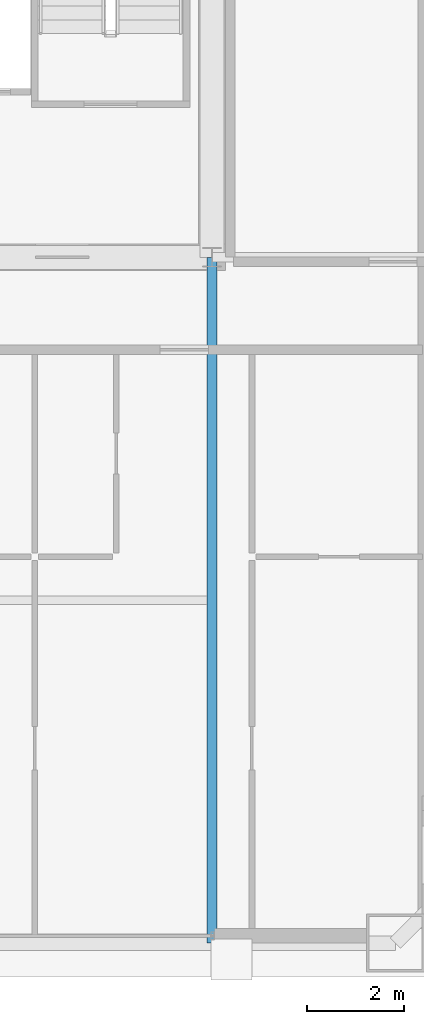
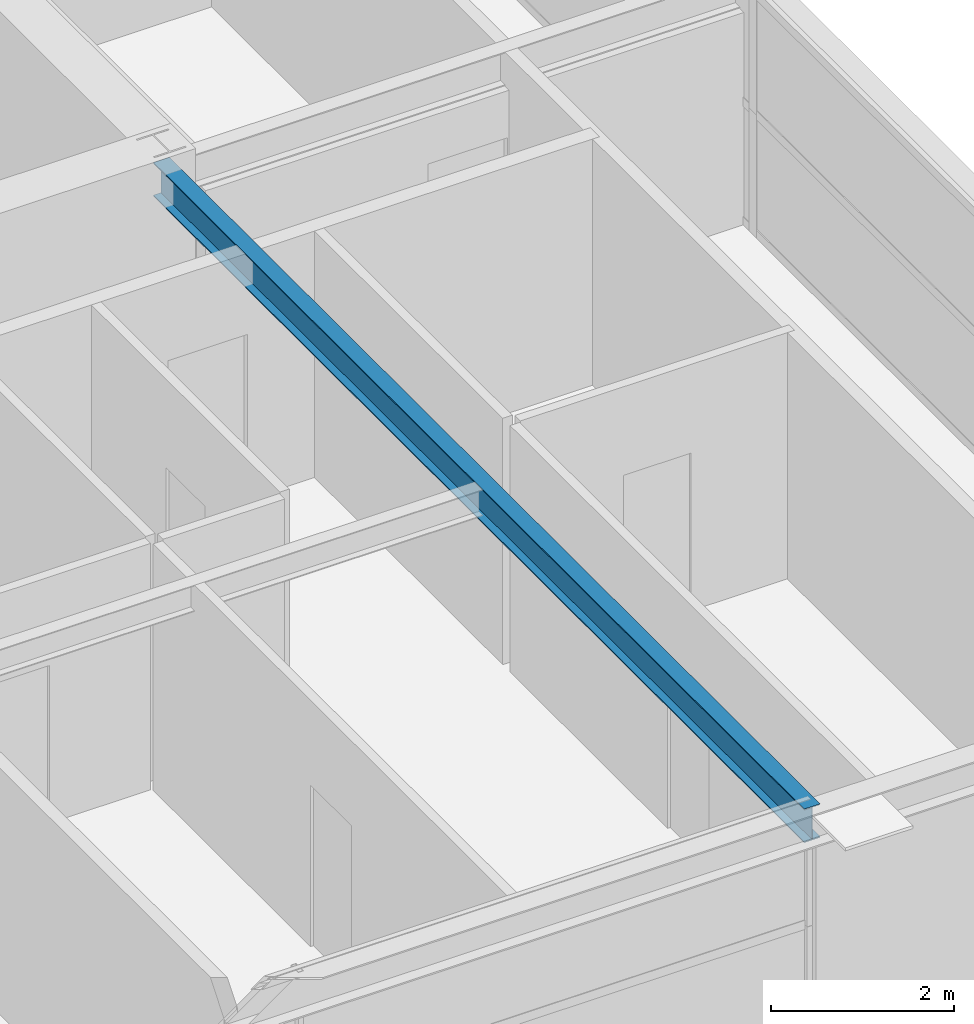
# One storey, part 16 of 37: 1 beam.
"""IFC4 building model written with IfcOpenShell, lengths in metres."""

from ifc_helpers import new_model, si_unit, direction, frame, origin, origin_2d, place, context, subcontext, project, spatial, i_section, extrude, source, transform, mapped, material, material_profile, profile_set, type_object, element, save


model = new_model("IFC4")

# Units and contexts
model_context = context("Model", 3, precision=1e-05, world=origin(), true_north=direction((0.0, 1.0)))
body_context = subcontext(model_context, "Body", "Model", "MODEL_VIEW")
ifc_project = project(units=[si_unit("LENGTHUNIT", "METRE"), si_unit("AREAUNIT", "SQUARE_METRE"), si_unit("VOLUMEUNIT", "CUBIC_METRE"), si_unit("PLANEANGLEUNIT", "RADIAN"), si_unit("MASSUNIT", "GRAM", prefix="KILO"), si_unit("THERMODYNAMICTEMPERATUREUNIT", "KELVIN"), si_unit("POWERUNIT", "WATT")], contexts=[model_context])

# Site, building, storey
site_placement = place(None, origin())
site = spatial("IfcSite", under=ifc_project, at=site_placement, CompositionType="ELEMENT")
building_placement = place(site_placement, origin())
building = spatial("IfcBuilding", under=site, at=building_placement, Name="Yuzanri Waterfront Tower", CompositionType="ELEMENT")
storey_placement = place(building_placement, frame((0.0, 0.0, 252.10009765625)))
storey = spatial("IfcBuildingStorey", under=building, at=storey_placement, Name="L67", CompositionType="ELEMENT", Elevation=252.10009765625)

# Beam
ifc_material = material(Name="Steel Q355B", Category="steel")
ifc_material_profile = material_profile(ifc_material, i_section(OverallWidth=0.199951171875, OverallDepth=0.449951171875, WebThickness=0.009033203125, FlangeThickness=0.013916015625, at=origin_2d()), Name="HN 450x200x9x14")
ifc_profile_set = profile_set([ifc_material_profile], Name="Steel Q355B")
beam_type = type_object("IfcBeamType", Name="Secondary Floor Beam Q355B HN 450x200", PredefinedType="BEAM", material=ifc_profile_set)
shared_shape = source(origin(), body_context, "Body", "SweptSolid", [
    extrude(i_section(OverallWidth=0.199951171875, OverallDepth=0.449951171875, WebThickness=0.009033203125, FlangeThickness=0.013916015625, at=origin_2d()), origin(), (0.0, 0.0, 1.0), 14.199951171875),
])
beam_placement = place(storey_placement, frame((50.199951171875, 19.39990234375, 3.054931640625), z_axis=(0.0, -1.0, 0.0), x_axis=(1.0, 0.0, 0.0)))
element("IfcBeam", 1, at=beam_placement, inside=storey, type_object=beam_type, Name="L67 South-East Core Line Beam", PredefinedType="BEAM", context=body_context, shape_type="MappedRepresentation", body=[
    mapped(shared_shape, transform((0.0, 0.0, 0.0), scale=1.0)),
])

save(model, "model.ifc")
